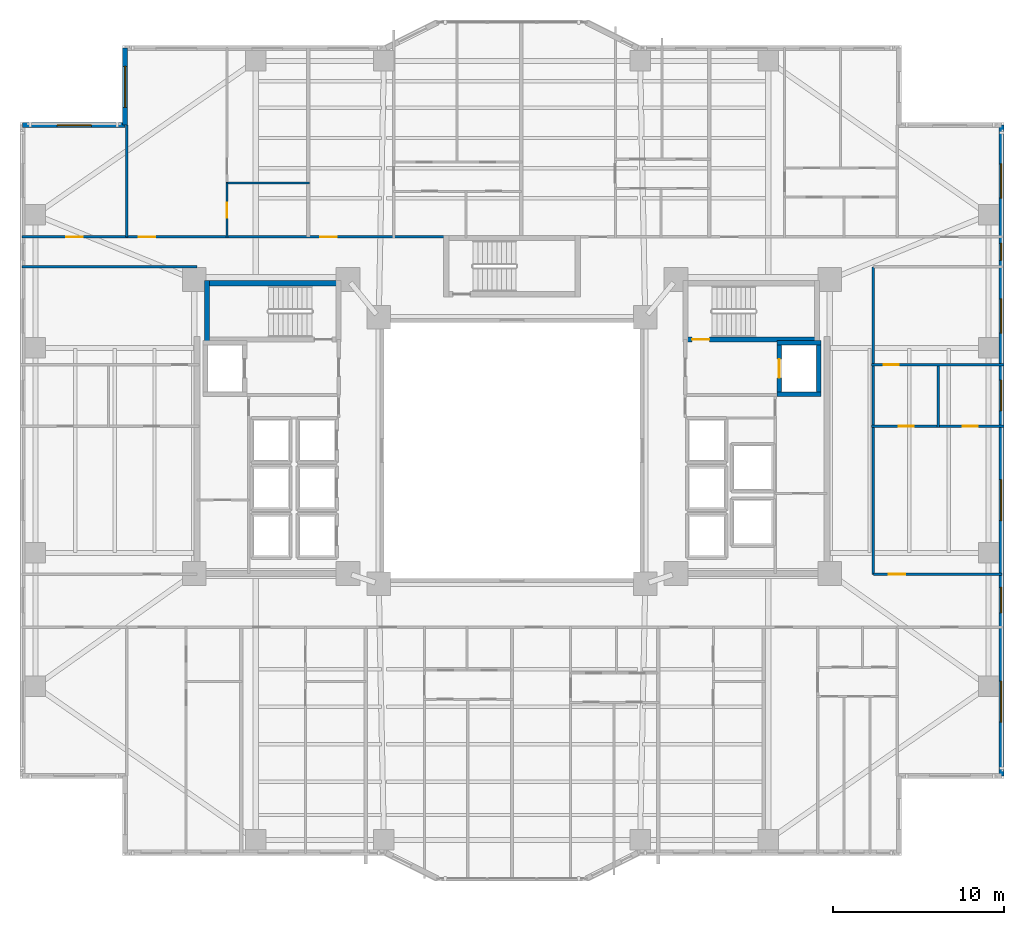
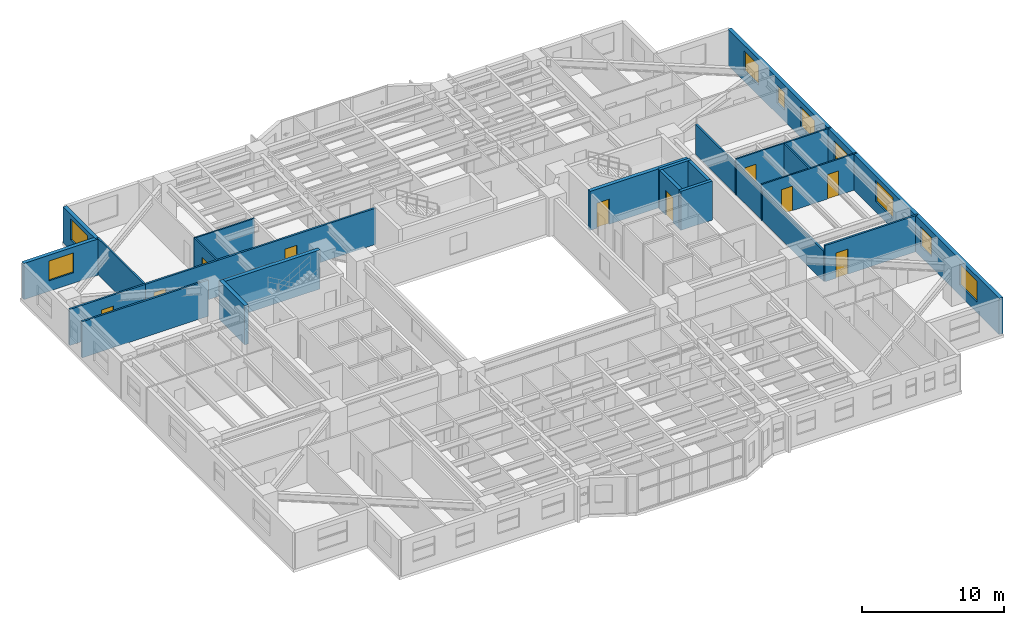
# One storey, part 14 of 22: 21 walls, 10 doors, 9 windows, 19 openings.
"""IFC4 building model written with IfcOpenShell, lengths in metres."""

from ifc_helpers import new_model, si_unit, direction, frame, frame_2d, origin, place, context, subcontext, project, spatial, rectangle, extrude, material, layer, layer_set, type_object, element, fill, save


model = new_model("IFC4")

# Units and contexts
model_context = context("Model", 3, precision=1e-05, world=origin(), true_north=direction((0.0, 1.0)))
body_context = subcontext(model_context, "Body", "Model", "MODEL_VIEW")
ifc_project = project(units=[si_unit("LENGTHUNIT", "METRE"), si_unit("AREAUNIT", "SQUARE_METRE"), si_unit("VOLUMEUNIT", "CUBIC_METRE"), si_unit("PLANEANGLEUNIT", "RADIAN"), si_unit("MASSUNIT", "GRAM", prefix="KILO")], contexts=[model_context])

# Site, building, storey
site_placement = place(None, origin())
site = spatial("IfcSite", under=ifc_project, at=site_placement, CompositionType="ELEMENT")
building_placement = place(site_placement, origin())
building = spatial("IfcBuilding", under=site, at=building_placement, Name="Tarnavaz Court Tower", CompositionType="ELEMENT")
storey_placement = place(building_placement, frame((0.0, 0.0, 57.5)))
storey = spatial("IfcBuildingStorey", under=building, at=storey_placement, Name="L15", CompositionType="ELEMENT", Elevation=57.5)

# Wall, opening, door
ifc_material_1 = material(Name="Concrete C60/75", Category="concrete")
ifc_layer_1 = layer(ifc_material_1, 0.25)
ifc_layer_set_1 = layer_set([ifc_layer_1], Name="Concrete C60/75")
wall_type_1 = type_object("IfcWallType", Name="WL-CORE-250-C60", PredefinedType="SHEAR", material=ifc_layer_set_1)
wall_1_placement = place(storey_placement, frame((15.64990234375, 3.175048828125, 0.0), z_axis=(0.0, 0.0, 1.0), x_axis=(0.0, 1.0, 0.0)))
wall_1 = element("IfcWall", 1, at=wall_1_placement, inside=storey, type_object=wall_type_1, Name="L15 Lift FL-E1 Shaft Wall 045", PredefinedType="SHEAR", context=body_context, shape_type="SweptSolid", body=[
    extrude(rectangle(XDim=3.25, YDim=0.25, at=frame_2d((1.625, 0.0))), origin(), (0.0, 0.0, 1.0), 3.35009765625),
])
opening_1_placement = place(wall_1_placement, frame((1.074951171875, 0.0, 0.0)))
opening_1 = element("IfcOpeningElement", 2, at=opening_1_placement, cuts=wall_1, Name="Opening LD1", PredefinedType="OPENING", context=body_context, shape_type="SweptSolid", body=[
    extrude(rectangle(XDim=1.10009765625, YDim=2.14990234375, at=frame_2d((0.550048828125, 1.074951171875))), frame((0.0, 0.135009765625, 0.0), z_axis=(0.0, -1.0, 0.0), x_axis=(1.0, 0.0, 0.0)), (0.0, 0.0, 1.0), 0.27001953125),
])
ifc_material_2 = material(Name="Stainless Steel", Category="steel")
door_type_1 = type_object("IfcDoorType", Name="DR-LD-1100", OperationType="NOTDEFINED", PredefinedType="DOOR", material=ifc_material_2)
door_1_placement = place(opening_1_placement, origin())
door_1 = element("IfcDoor", 3, at=door_1_placement, inside=storey, type_object=door_type_1, Name="L15 Lift Landing Door LD-FL-E1", OperationType="SLIDING_TO_LEFT", OverallHeight=2.14990234375, OverallWidth=1.10009765625, PredefinedType="DOOR", context=body_context, shape_type="SweptSolid", body=[
    extrude(rectangle(XDim=1.10009765625, YDim=2.14990234375, at=frame_2d((0.550048828125, 1.074951171875))), frame((0.0, 0.02490234375, 0.0), z_axis=(0.0, -1.0, 0.0), x_axis=(1.0, 0.0, 0.0)), (0.0, 0.0, 1.0), 0.050048828125),
])
fill(opening_1, door_1)

# Walls
wall_2_placement = place(storey_placement, frame((17.949951171875, 3.175048828125, 0.0), z_axis=(0.0, 0.0, 1.0), x_axis=(0.0, 1.0, 0.0)))
element("IfcWall", 4, at=wall_2_placement, inside=storey, type_object=wall_type_1, Name="L15 Lift FL-E1 Shaft Wall 046", PredefinedType="SHEAR", context=body_context, shape_type="SweptSolid", body=[
    extrude(rectangle(XDim=3.25, YDim=0.25, at=frame_2d((1.625, 0.0))), origin(), (0.0, 0.0, 1.0), 3.35009765625),
])
for number, where, z_axis, x_axis, name in (
    (5, (15.52490234375, 3.300048828125, 0.0), (0.0, 0.0, 1.0), (1.0, 0.0, 0.0), "L15 Lift FL-E1 Shaft Wall 047"),
    (6, (15.52490234375, 6.300048828125, 0.0), (0.0, 0.0, 1.0), (1.0, 0.0, 0.0), "L15 Lift FL-E1 Shaft Wall 048"),
):
    element("IfcWall", number, at=place(storey_placement, frame(where, z_axis=z_axis, x_axis=x_axis)), inside=storey, type_object=wall_type_1, Name=name, PredefinedType="SHEAR", context=body_context, shape_type="SweptSolid", body=[
        extrude(rectangle(XDim=2.550048828125, YDim=0.25, at=frame_2d((1.27490234375, 0.0))), origin(), (0.0, 0.0, 1.0), 3.35009765625),
    ])
ifc_layer_2 = layer(ifc_material_1, 0.300048828125)
ifc_layer_set_2 = layer_set([ifc_layer_2], Name="Concrete C60/75")
wall_type_2 = type_object("IfcWallType", Name="WL-CORE-300-C60", PredefinedType="SHEAR", material=ifc_layer_set_2)
wall_3_placement = place(storey_placement, frame((-18.0, 9.7900390625, 0.0), z_axis=(0.0, 0.0, 1.0), x_axis=(1.0, 0.0, 0.0)))
element("IfcWall", 7, at=wall_3_placement, inside=storey, type_object=wall_type_2, Name="L15 West Stair Core Wall 001", PredefinedType="SHEAR", context=body_context, shape_type="SweptSolid", body=[
    extrude(rectangle(XDim=8.0, YDim=0.300048828125, at=frame_2d((4.0, 0.0))), origin(), (0.0, 0.0, 1.0), 3.35009765625),
])
wall_4_placement = place(storey_placement, frame((-17.85009765625, 6.35009765625, 0.0), z_axis=(0.0, 0.0, 1.0), x_axis=(0.0, 1.0, 0.0)))
element("IfcWall", 8, at=wall_4_placement, inside=storey, type_object=wall_type_2, Name="L15 West Stair Core Wall 003", PredefinedType="SHEAR", context=body_context, shape_type="SweptSolid", body=[
    extrude(rectangle(XDim=3.58984375, YDim=0.300048828125, at=frame_2d((1.794921875, 0.0))), origin(), (0.0, 0.0, 1.0), 3.35009765625),
])

# Wall, opening, door
wall_5_placement = place(storey_placement, frame((10.0, 6.5, 0.0), z_axis=(0.0, 0.0, 1.0), x_axis=(1.0, 0.0, 0.0)))
wall_5 = element("IfcWall", 9, at=wall_5_placement, inside=storey, type_object=wall_type_2, Name="L15 East Stair Core Wall 006", PredefinedType="SHEAR", context=body_context, shape_type="SweptSolid", body=[
    extrude(rectangle(XDim=8.0, YDim=0.300048828125, at=frame_2d((4.0, 0.0))), origin(), (0.0, 0.0, 1.0), 3.35009765625),
])
opening_2_placement = place(wall_5_placement, frame((0.550048828125, 0.0, 0.0)))
opening_2 = element("IfcOpeningElement", 10, at=opening_2_placement, cuts=wall_5, Name="Opening D01", PredefinedType="OPENING", context=body_context, shape_type="SweptSolid", body=[
    extrude(rectangle(XDim=1.0, YDim=2.14990234375, at=frame_2d((0.5, 1.074951171875))), frame((0.0, 0.159912109375, 0.0), z_axis=(0.0, -1.0, 0.0), x_axis=(1.0, 0.0, 0.0)), (0.0, 0.0, 1.0), 0.320068359375),
])
ifc_material_3 = material(Name="Fire-Rated Hardwood Timber Core", Category="wood")
door_type_2 = type_object("IfcDoorType", Name="DR-FD90-1000", OperationType="NOTDEFINED", PredefinedType="DOOR", material=ifc_material_3)
door_2_placement = place(opening_2_placement, origin())
door_2 = element("IfcDoor", 11, at=door_2_placement, inside=storey, type_object=door_type_2, Name="L15 Stair ST-E1 Exit Door", OperationType="SINGLE_SWING_RIGHT", OverallHeight=2.14990234375, OverallWidth=1.0, PredefinedType="DOOR", context=body_context, shape_type="SweptSolid", body=[
    extrude(rectangle(XDim=1.0, YDim=2.14990234375, at=frame_2d((0.5, 1.074951171875))), frame((0.0, 0.02490234375, 0.0), z_axis=(0.0, -1.0, 0.0), x_axis=(1.0, 0.0, 0.0)), (0.0, 0.0, 1.0), 0.050048828125),
])
fill(opening_2, door_2)

# Wall, opening, window
ifc_material_4 = material(Name="Precast Concrete C40/50", Category="concrete")
ifc_layer_3 = layer(ifc_material_4, 0.300048828125)
ifc_layer_set_3 = layer_set([ifc_layer_3], Name="Precast Concrete C40/50")
wall_type_3 = type_object("IfcWallType", Name="WL-EXT-300", PredefinedType="SOLIDWALL", material=ifc_layer_set_3)
wall_6_placement = place(storey_placement, frame((-28.64990234375, 19.050048828125, 0.0), z_axis=(0.0, 0.0, 1.0), x_axis=(1.0, 0.0, 0.0)))
wall_6 = element("IfcWall", 12, at=wall_6_placement, inside=storey, type_object=wall_type_3, Name="L15 Exterior Terracotta Facade Wall 03", PredefinedType="SOLIDWALL", context=body_context, shape_type="SweptSolid", body=[
    extrude(rectangle(XDim=6.0, YDim=0.300048828125, at=frame_2d((3.0, 0.0))), origin(), (0.0, 0.0, 1.0), 3.10009765625),
])
opening_3_placement = place(wall_6_placement, frame((2.02490234375, 0.0, 0.89990234375)))
opening_3 = element("IfcOpeningElement", 13, at=opening_3_placement, cuts=wall_6, Name="Opening W08", PredefinedType="OPENING", context=body_context, shape_type="SweptSolid", body=[
    extrude(rectangle(XDim=2.0, YDim=1.699951171875, at=frame_2d((1.0, 0.85009765625))), frame((0.0, 0.159912109375, 0.0), z_axis=(0.0, -1.0, 0.0), x_axis=(1.0, 0.0, 0.0)), (0.0, 0.0, 1.0), 0.320068359375),
])
ifc_material_5 = material(Name="Double-Glazed Solar Low-E Glass", Category="glass")
window_type_1 = type_object("IfcWindowType", Name="WN-APT-2000", PartitioningType="DOUBLE_PANEL_VERTICAL", PredefinedType="WINDOW", material=ifc_material_5)
window_1_placement = place(opening_3_placement, origin())
window_1 = element("IfcWindow", 14, at=window_1_placement, inside=storey, type_object=window_type_1, Name="L15 North-West Corner Sunroom Study Window", OverallHeight=1.699951171875, OverallWidth=2.0, PartitioningType="SINGLE_PANEL", PredefinedType="WINDOW", context=body_context, shape_type="SweptSolid", body=[
    extrude(rectangle(XDim=2.0, YDim=1.699951171875, at=frame_2d((1.0, 0.85009765625))), frame((0.0, 0.030029296875, 0.0), z_axis=(0.0, -1.0, 0.0), x_axis=(1.0, 0.0, 0.0)), (0.0, 0.0, 1.0), 0.06005859375),
])
fill(opening_3, window_1)

wall_7_placement = place(storey_placement, frame((-22.64990234375, 19.050048828125, 0.0), z_axis=(0.0, 0.0, 1.0), x_axis=(0.0, 1.0, 0.0)))
wall_7 = element("IfcWall", 15, at=wall_7_placement, inside=storey, type_object=wall_type_3, Name="L15 Exterior Terracotta Facade Wall 04", PredefinedType="SOLIDWALL", context=body_context, shape_type="SweptSolid", body=[
    extrude(rectangle(XDim=4.5, YDim=0.300048828125, at=frame_2d((2.25, 0.0))), origin(), (0.0, 0.0, 1.0), 3.10009765625),
])
opening_4_placement = place(wall_7_placement, frame((1.032470703125, 0.0, 0.89990234375)))
opening_4 = element("IfcOpeningElement", 16, at=opening_4_placement, cuts=wall_7, Name="Opening W06", PredefinedType="OPENING", context=body_context, shape_type="SweptSolid", body=[
    extrude(rectangle(XDim=2.39990234375, YDim=1.800048828125, at=frame_2d((1.199951171875, 0.89990234375))), frame((0.0, 0.159912109375, 0.0), z_axis=(0.0, -1.0, 0.0), x_axis=(1.0, 0.0, 0.0)), (0.0, 0.0, 1.0), 0.320068359375),
])
window_type_2 = type_object("IfcWindowType", Name="WN-APT-2400", PartitioningType="TRIPLE_PANEL_VERTICAL", PredefinedType="WINDOW", material=ifc_material_5)
window_2_placement = place(opening_4_placement, origin())
window_2 = element("IfcWindow", 17, at=window_2_placement, inside=storey, type_object=window_type_2, Name="L15 Flat 01 Studio Living and Sleeping Room Window", OverallHeight=1.800048828125, OverallWidth=2.39990234375, PartitioningType="SINGLE_PANEL", PredefinedType="WINDOW", context=body_context, shape_type="SweptSolid", body=[
    extrude(rectangle(XDim=2.39990234375, YDim=1.800048828125, at=frame_2d((1.199951171875, 0.89990234375))), frame((0.0, 0.030029296875, 0.0), z_axis=(0.0, -1.0, 0.0), x_axis=(1.0, 0.0, 0.0)), (0.0, 0.0, 1.0), 0.06005859375),
])
fill(opening_4, window_2)

# Wall, openings, windows
wall_8_placement = place(storey_placement, frame((28.64990234375, 19.050048828125, 0.0), z_axis=(0.0, 0.0, 1.0), x_axis=(0.0, -1.0, 0.0)))
wall_8 = element("IfcWall", 18, at=wall_8_placement, inside=storey, type_object=wall_type_3, Name="L15 Exterior Terracotta Facade Wall 12", PredefinedType="SOLIDWALL", context=body_context, shape_type="SweptSolid", body=[
    extrude(rectangle(XDim=38.10009765625, YDim=0.300048828125, at=frame_2d((19.050048828125, 0.0))), origin(), (0.0, 0.0, 1.0), 3.10009765625),
])
opening_5_placement = place(wall_8_placement, frame((2.27490234375, 0.0, 0.89990234375)))
opening_5 = element("IfcOpeningElement", 19, at=opening_5_placement, cuts=wall_8, Name="Opening W08", PredefinedType="OPENING", context=body_context, shape_type="SweptSolid", body=[
    extrude(rectangle(XDim=2.0, YDim=1.699951171875, at=frame_2d((1.0, 0.85009765625))), frame((0.0, 0.159912109375, 0.0), z_axis=(0.0, -1.0, 0.0), x_axis=(1.0, 0.0, 0.0)), (0.0, 0.0, 1.0), 0.320068359375),
])
opening_6_placement = place(wall_8_placement, frame((6.925048828125, 0.0, 0.949951171875)))
opening_6 = element("IfcOpeningElement", 20, at=opening_6_placement, cuts=wall_8, Name="Opening W14", PredefinedType="OPENING", context=body_context, shape_type="SweptSolid", body=[
    extrude(rectangle(XDim=1.0, YDim=1.5, at=frame_2d((0.5, 0.75))), frame((0.0, 0.159912109375, 0.0), z_axis=(0.0, -1.0, 0.0), x_axis=(1.0, 0.0, 0.0)), (0.0, 0.0, 1.0), 0.320068359375),
])
opening_7_placement = place(wall_8_placement, frame((10.175048828125, 0.0, 0.89990234375)))
opening_7 = element("IfcOpeningElement", 21, at=opening_7_placement, cuts=wall_8, Name="Opening W08", PredefinedType="OPENING", context=body_context, shape_type="SweptSolid", body=[
    extrude(rectangle(XDim=2.0, YDim=1.699951171875, at=frame_2d((1.0, 0.85009765625))), frame((0.0, 0.159912109375, 0.0), z_axis=(0.0, -1.0, 0.0), x_axis=(1.0, 0.0, 0.0)), (0.0, 0.0, 1.0), 0.320068359375),
])
opening_8_placement = place(wall_8_placement, frame((14.925048828125, 0.0, 0.89990234375)))
opening_8 = element("IfcOpeningElement", 22, at=opening_8_placement, cuts=wall_8, Name="Opening W01", PredefinedType="OPENING", context=body_context, shape_type="SweptSolid", body=[
    extrude(rectangle(XDim=1.800048828125, YDim=1.64990234375, at=frame_2d((0.89990234375, 0.824951171875))), frame((0.0, 0.159912109375, 0.0), z_axis=(0.0, -1.0, 0.0), x_axis=(1.0, 0.0, 0.0)), (0.0, 0.0, 1.0), 0.320068359375),
])
opening_9_placement = place(wall_8_placement, frame((20.75, 0.0, 0.89990234375)))
opening_9 = element("IfcOpeningElement", 23, at=opening_9_placement, cuts=wall_8, Name="Opening W06", PredefinedType="OPENING", context=body_context, shape_type="SweptSolid", body=[
    extrude(rectangle(XDim=2.39990234375, YDim=1.800048828125, at=frame_2d((1.199951171875, 0.89990234375))), frame((0.0, 0.159912109375, 0.0), z_axis=(0.0, -1.0, 0.0), x_axis=(1.0, 0.0, 0.0)), (0.0, 0.0, 1.0), 0.320068359375),
])
opening_10_placement = place(wall_8_placement, frame((27.0576171875, 0.0, 0.89990234375)))
opening_10 = element("IfcOpeningElement", 24, at=opening_10_placement, cuts=wall_8, Name="Opening W03", PredefinedType="OPENING", context=body_context, shape_type="SweptSolid", body=[
    extrude(rectangle(XDim=1.5, YDim=1.64990234375, at=frame_2d((0.75, 0.824951171875))), frame((0.0, 0.159912109375, 0.0), z_axis=(0.0, -1.0, 0.0), x_axis=(1.0, 0.0, 0.0)), (0.0, 0.0, 1.0), 0.320068359375),
])
opening_11_placement = place(wall_8_placement, frame((32.550048828125, 0.0, 0.89990234375)))
opening_11 = element("IfcOpeningElement", 25, at=opening_11_placement, cuts=wall_8, Name="Opening W06", PredefinedType="OPENING", context=body_context, shape_type="SweptSolid", body=[
    extrude(rectangle(XDim=2.39990234375, YDim=1.800048828125, at=frame_2d((1.199951171875, 0.89990234375))), frame((0.0, 0.159912109375, 0.0), z_axis=(0.0, -1.0, 0.0), x_axis=(1.0, 0.0, 0.0)), (0.0, 0.0, 1.0), 0.320068359375),
])
window_type_3 = type_object("IfcWindowType", Name="WN-APT-1000", PartitioningType="SINGLE_PANEL", PredefinedType="WINDOW", material=ifc_material_5)
window_3_placement = place(opening_6_placement, origin())
window_3 = element("IfcWindow", 26, at=window_3_placement, inside=storey, type_object=window_type_3, Name="L15 North-East Corner Corridor Window", OverallHeight=1.5, OverallWidth=1.0, PartitioningType="SINGLE_PANEL", PredefinedType="WINDOW", context=body_context, shape_type="SweptSolid", body=[
    extrude(rectangle(XDim=1.0, YDim=1.5, at=frame_2d((0.5, 0.75))), frame((0.0, 0.030029296875, 0.0), z_axis=(0.0, -1.0, 0.0), x_axis=(1.0, 0.0, 0.0)), (0.0, 0.0, 1.0), 0.06005859375),
])
fill(opening_6, window_3)
window_type_4 = type_object("IfcWindowType", Name="WN-APT-1500", PartitioningType="DOUBLE_PANEL_VERTICAL", PredefinedType="WINDOW", material=ifc_material_5)
window_4_placement = place(opening_10_placement, origin())
window_4 = element("IfcWindow", 27, at=window_4_placement, inside=storey, type_object=window_type_4, Name="L15 South-East Corner Corridor Window", OverallHeight=1.64990234375, OverallWidth=1.5, PartitioningType="SINGLE_PANEL", PredefinedType="WINDOW", context=body_context, shape_type="SweptSolid", body=[
    extrude(rectangle(XDim=1.5, YDim=1.64990234375, at=frame_2d((0.75, 0.824951171875))), frame((0.0, 0.030029296875, 0.0), z_axis=(0.0, -1.0, 0.0), x_axis=(1.0, 0.0, 0.0)), (0.0, 0.0, 1.0), 0.06005859375),
])
fill(opening_10, window_4)
window_type_5 = type_object("IfcWindowType", Name="WN-APT-1800", PartitioningType="DOUBLE_PANEL_VERTICAL", PredefinedType="WINDOW", material=ifc_material_5)
window_5_placement = place(opening_8_placement, origin())
window_5 = element("IfcWindow", 28, at=window_5_placement, inside=storey, type_object=window_type_5, Name="L15 Flat 12 Bathroom Window", OverallHeight=1.64990234375, OverallWidth=1.800048828125, PartitioningType="SINGLE_PANEL", PredefinedType="WINDOW", context=body_context, shape_type="SweptSolid", body=[
    extrude(rectangle(XDim=1.800048828125, YDim=1.64990234375, at=frame_2d((0.89990234375, 0.824951171875))), frame((0.0, 0.030029296875, 0.0), z_axis=(0.0, -1.0, 0.0), x_axis=(1.0, 0.0, 0.0)), (0.0, 0.0, 1.0), 0.06005859375),
])
fill(opening_8, window_5)
window_6_placement = place(opening_5_placement, origin())
window_6 = element("IfcWindow", 29, at=window_6_placement, inside=storey, type_object=window_type_1, Name="L15 North-East Corner Sunroom Study Window", OverallHeight=1.699951171875, OverallWidth=2.0, PartitioningType="SINGLE_PANEL", PredefinedType="WINDOW", context=body_context, shape_type="SweptSolid", body=[
    extrude(rectangle(XDim=2.0, YDim=1.699951171875, at=frame_2d((1.0, 0.85009765625))), frame((0.0, 0.030029296875, 0.0), z_axis=(0.0, -1.0, 0.0), x_axis=(1.0, 0.0, 0.0)), (0.0, 0.0, 1.0), 0.06005859375),
])
fill(opening_5, window_6)
window_7_placement = place(opening_7_placement, origin())
window_7 = element("IfcWindow", 30, at=window_7_placement, inside=storey, type_object=window_type_1, Name="L15 Flat 12 Study Room Window", OverallHeight=1.699951171875, OverallWidth=2.0, PartitioningType="SINGLE_PANEL", PredefinedType="WINDOW", context=body_context, shape_type="SweptSolid", body=[
    extrude(rectangle(XDim=2.0, YDim=1.699951171875, at=frame_2d((1.0, 0.85009765625))), frame((0.0, 0.030029296875, 0.0), z_axis=(0.0, -1.0, 0.0), x_axis=(1.0, 0.0, 0.0)), (0.0, 0.0, 1.0), 0.06005859375),
])
fill(opening_7, window_7)
window_8_placement = place(opening_9_placement, origin())
window_8 = element("IfcWindow", 31, at=window_8_placement, inside=storey, type_object=window_type_2, Name="L15 Flat 12 Studio Living and Sleeping Room Window", OverallHeight=1.800048828125, OverallWidth=2.39990234375, PartitioningType="SINGLE_PANEL", PredefinedType="WINDOW", context=body_context, shape_type="SweptSolid", body=[
    extrude(rectangle(XDim=2.39990234375, YDim=1.800048828125, at=frame_2d((1.199951171875, 0.89990234375))), frame((0.0, 0.030029296875, 0.0), z_axis=(0.0, -1.0, 0.0), x_axis=(1.0, 0.0, 0.0)), (0.0, 0.0, 1.0), 0.06005859375),
])
fill(opening_9, window_8)
window_9_placement = place(opening_11_placement, origin())
window_9 = element("IfcWindow", 32, at=window_9_placement, inside=storey, type_object=window_type_2, Name="L15 South-East Corner Reading Room Window", OverallHeight=1.800048828125, OverallWidth=2.39990234375, PartitioningType="SINGLE_PANEL", PredefinedType="WINDOW", context=body_context, shape_type="SweptSolid", body=[
    extrude(rectangle(XDim=2.39990234375, YDim=1.800048828125, at=frame_2d((1.199951171875, 0.89990234375))), frame((0.0, 0.030029296875, 0.0), z_axis=(0.0, -1.0, 0.0), x_axis=(1.0, 0.0, 0.0)), (0.0, 0.0, 1.0), 0.06005859375),
])
fill(opening_11, window_9)

# Wall, openings, doors
ifc_material_6 = material(Name="Gypsum Fire-Board on Acoustic Metal Stud", Category="masonry")
ifc_layer_4 = layer(ifc_material_6, 0.14990234375)
ifc_layer_set_4 = layer_set([ifc_layer_4], Name="Gypsum Fire-Board on Acoustic Metal Stud")
wall_type_4 = type_object("IfcWallType", Name="WL-FIRE-150", PredefinedType="PARTITIONING", material=ifc_layer_set_4)
wall_9_placement = place(storey_placement, frame((-22.550048828125, 12.5, 0.0), z_axis=(0.0, 0.0, 1.0), x_axis=(1.0, 0.0, 0.0)))
wall_9 = element("IfcWall", 33, at=wall_9_placement, inside=storey, type_object=wall_type_4, Name="L15 NW Wing Corridor Wall 081", PredefinedType="PARTITIONING", context=body_context, shape_type="SweptSolid", body=[
    extrude(rectangle(XDim=18.699951171875, YDim=0.14990234375, at=frame_2d((9.35009765625, 0.0))), origin(), (0.0, 0.0, 1.0), 3.10009765625),
])
opening_12_placement = place(wall_9_placement, frame((0.699951171875, 0.0, 0.0)))
opening_12 = element("IfcOpeningElement", 34, at=opening_12_placement, cuts=wall_9, Name="Opening D06", PredefinedType="OPENING", context=body_context, shape_type="SweptSolid", body=[
    extrude(rectangle(XDim=0.9599609375, YDim=2.14990234375, at=frame_2d((0.47998046875, 1.074951171875))), frame((0.0, 0.0849609375, 0.0), z_axis=(0.0, -1.0, 0.0), x_axis=(1.0, 0.0, 0.0)), (0.0, 0.0, 1.0), 0.169921875),
])
opening_13_placement = place(wall_9_placement, frame((11.325927734375, 0.0, 0.0)))
opening_13 = element("IfcOpeningElement", 35, at=opening_13_placement, cuts=wall_9, Name="Opening D06", PredefinedType="OPENING", context=body_context, shape_type="SweptSolid", body=[
    extrude(rectangle(XDim=0.9599609375, YDim=2.14990234375, at=frame_2d((0.47998046875, 1.074951171875))), frame((0.0, 0.0849609375, 0.0), z_axis=(0.0, -1.0, 0.0), x_axis=(1.0, 0.0, 0.0)), (0.0, 0.0, 1.0), 0.169921875),
])
door_type_3 = type_object("IfcDoorType", Name="DR-FD60-950", OperationType="NOTDEFINED", PredefinedType="DOOR", material=ifc_material_3)
door_3_placement = place(opening_12_placement, origin())
door_3 = element("IfcDoor", 36, at=door_3_placement, inside=storey, type_object=door_type_3, Name="L15 Flat 01 Entrance Door", OperationType="SINGLE_SWING_LEFT", OverallHeight=2.14990234375, OverallWidth=0.9599609375, PredefinedType="DOOR", context=body_context, shape_type="SweptSolid", body=[
    extrude(rectangle(XDim=0.9599609375, YDim=2.14990234375, at=frame_2d((0.47998046875, 1.074951171875))), frame((0.0, 0.02490234375, 0.0), z_axis=(0.0, -1.0, 0.0), x_axis=(1.0, 0.0, 0.0)), (0.0, 0.0, 1.0), 0.050048828125),
])
fill(opening_12, door_3)
door_4_placement = place(opening_13_placement, origin())
door_4 = element("IfcDoor", 37, at=door_4_placement, inside=storey, type_object=door_type_3, Name="L15 Flat 02 Entrance Door", OperationType="SINGLE_SWING_RIGHT", OverallHeight=2.14990234375, OverallWidth=0.9599609375, PredefinedType="DOOR", context=body_context, shape_type="SweptSolid", body=[
    extrude(rectangle(XDim=0.9599609375, YDim=2.14990234375, at=frame_2d((0.47998046875, 1.074951171875))), frame((0.0, 0.02490234375, 0.0), z_axis=(0.0, -1.0, 0.0), x_axis=(1.0, 0.0, 0.0)), (0.0, 0.0, 1.0), 0.050048828125),
])
fill(opening_13, door_4)

# Walls
wall_10_placement = place(storey_placement, frame((21.14990234375, -7.25, 0.0), z_axis=(0.0, 0.0, 1.0), x_axis=(0.0, 1.0, 0.0)))
element("IfcWall", 38, at=wall_10_placement, inside=storey, type_object=wall_type_4, Name="L15 East Outer Link Wall 083", PredefinedType="PARTITIONING", context=body_context, shape_type="SweptSolid", body=[
    extrude(rectangle(XDim=18.0, YDim=0.14990234375, at=frame_2d((9.0, 0.0))), origin(), (0.0, 0.0, 1.0), 2.5849609375),
])
wall_11_placement = place(storey_placement, frame((-28.679931640625, 10.75, 0.0), z_axis=(0.0, 0.0, 1.0), x_axis=(1.0, 0.0, 0.0)))
element("IfcWall", 39, at=wall_11_placement, inside=storey, type_object=wall_type_4, Name="L15 Interior Partition 145", PredefinedType="PARTITIONING", context=body_context, shape_type="SweptSolid", body=[
    extrude(rectangle(XDim=10.22998046875, YDim=0.14990234375, at=frame_2d((5.114990234375, 0.0))), origin(), (0.0, 0.0, 1.0), 3.10009765625),
])

# Wall, opening, door
wall_12_placement = place(storey_placement, frame((21.14990234375, -7.25, 0.0), z_axis=(0.0, 0.0, 1.0), x_axis=(1.0, 0.0, 0.0)))
wall_12 = element("IfcWall", 40, at=wall_12_placement, inside=storey, type_object=wall_type_4, Name="L15 Interior Partition 146", PredefinedType="PARTITIONING", context=body_context, shape_type="SweptSolid", body=[
    extrude(rectangle(XDim=7.530029296875, YDim=0.14990234375, at=frame_2d((3.76513671875, 0.0))), origin(), (0.0, 0.0, 1.0), 3.10009765625),
])
opening_14_placement = place(wall_12_placement, frame((0.89990234375, 0.0, 0.0)))
opening_14 = element("IfcOpeningElement", 41, at=opening_14_placement, cuts=wall_12, Name="Opening D06", PredefinedType="OPENING", context=body_context, shape_type="SweptSolid", body=[
    extrude(rectangle(XDim=0.9599609375, YDim=2.14990234375, at=frame_2d((0.47998046875, 1.074951171875))), frame((0.0, 0.0849609375, 0.0), z_axis=(0.0, -1.0, 0.0), x_axis=(1.0, 0.0, 0.0)), (0.0, 0.0, 1.0), 0.169921875),
])
door_5_placement = place(opening_14_placement, origin())
door_5 = element("IfcDoor", 42, at=door_5_placement, inside=storey, type_object=door_type_3, Name="L15 Flat 12 Entrance Door", OperationType="SINGLE_SWING_RIGHT", OverallHeight=2.14990234375, OverallWidth=0.9599609375, PredefinedType="DOOR", context=body_context, shape_type="SweptSolid", body=[
    extrude(rectangle(XDim=0.9599609375, YDim=2.14990234375, at=frame_2d((0.47998046875, 1.074951171875))), frame((0.0, 0.02490234375, 0.0), z_axis=(0.0, -1.0, 0.0), x_axis=(1.0, 0.0, 0.0)), (0.0, 0.0, 1.0), 0.050048828125),
])
fill(opening_14, door_5)

wall_13_placement = place(storey_placement, frame((-28.679931640625, 12.5, 0.0), z_axis=(0.0, 0.0, 1.0), x_axis=(1.0, 0.0, 0.0)))
wall_13 = element("IfcWall", 43, at=wall_13_placement, inside=storey, type_object=wall_type_4, Name="L15 Interior Partition 152", PredefinedType="PARTITIONING", context=body_context, shape_type="SweptSolid", body=[
    extrude(rectangle(XDim=6.1298828125, YDim=0.14990234375, at=frame_2d((3.06494140625, 0.0))), origin(), (0.0, 0.0, 1.0), 3.10009765625),
])
opening_15_placement = place(wall_13_placement, frame((2.590087890625, 0.0, 0.0)))
opening_15 = element("IfcOpeningElement", 44, at=opening_15_placement, cuts=wall_13, Name="Opening D13", PredefinedType="OPENING", context=body_context, shape_type="SweptSolid", body=[
    extrude(rectangle(XDim=0.949951171875, YDim=2.14990234375, at=frame_2d((0.47509765625, 1.074951171875))), frame((0.0, 0.0849609375, 0.0), z_axis=(0.0, -1.0, 0.0), x_axis=(1.0, 0.0, 0.0)), (0.0, 0.0, 1.0), 0.169921875),
])
ifc_material_7 = material(Name="Engineered Oak Timber", Category="wood")
door_type_4 = type_object("IfcDoorType", Name="DR-INT-950", OperationType="NOTDEFINED", PredefinedType="DOOR", material=ifc_material_7)
door_6_placement = place(opening_15_placement, origin())
door_6 = element("IfcDoor", 45, at=door_6_placement, inside=storey, type_object=door_type_4, Name="L15 NW Sunroom Door", OperationType="SINGLE_SWING_RIGHT", OverallHeight=2.14990234375, OverallWidth=0.949951171875, PredefinedType="DOOR", context=body_context, shape_type="SweptSolid", body=[
    extrude(rectangle(XDim=0.949951171875, YDim=2.14990234375, at=frame_2d((0.47509765625, 1.074951171875))), frame((0.0, 0.02490234375, 0.0), z_axis=(0.0, -1.0, 0.0), x_axis=(1.0, 0.0, 0.0)), (0.0, 0.0, 1.0), 0.050048828125),
])
fill(opening_15, door_6)

ifc_material_8 = material(Name="Moisture-Resistant Gypsum Board Partition", Category="masonry")
ifc_layer_5 = layer(ifc_material_8, 0.1201171875)
ifc_layer_set_5 = layer_set([ifc_layer_5], Name="Moisture-Resistant Gypsum Board Partition")
wall_type_5 = type_object("IfcWallType", Name="WL-PART-120", PredefinedType="PARTITIONING", material=ifc_layer_set_5)
wall_14_placement = place(storey_placement, frame((-16.68408203125, 12.43994140625, 0.0), z_axis=(0.0, 0.0, 1.0), x_axis=(0.0, 1.0, 0.0)))
wall_14 = element("IfcWall", 46, at=wall_14_placement, inside=storey, type_object=wall_type_5, Name="L15 Interior Partition 089", PredefinedType="PARTITIONING", context=body_context, shape_type="SweptSolid", body=[
    extrude(rectangle(XDim=3.2099609375, YDim=0.1201171875, at=frame_2d((1.60498046875, 0.0))), origin(), (0.0, 0.0, 1.0), 3.10009765625),
])
opening_16_placement = place(wall_14_placement, frame((1.195068359375, 0.0, 0.0)))
opening_16 = element("IfcOpeningElement", 47, at=opening_16_placement, cuts=wall_14, Name="Opening D14", PredefinedType="OPENING", context=body_context, shape_type="SweptSolid", body=[
    extrude(rectangle(XDim=0.8798828125, YDim=2.10009765625, at=frame_2d((0.43994140625, 1.050048828125))), frame((0.0, 0.070068359375, 0.0), z_axis=(0.0, -1.0, 0.0), x_axis=(1.0, 0.0, 0.0)), (0.0, 0.0, 1.0), 0.14013671875),
])
door_type_5 = type_object("IfcDoorType", Name="DR-INT-900", OperationType="NOTDEFINED", PredefinedType="DOOR", material=ifc_material_7)
door_7_placement = place(opening_16_placement, origin())
door_7 = element("IfcDoor", 48, at=door_7_placement, inside=storey, type_object=door_type_5, Name="L15 Flat 01 Bathroom Door", OperationType="SINGLE_SWING_RIGHT", OverallHeight=2.10009765625, OverallWidth=0.8798828125, PredefinedType="DOOR", context=body_context, shape_type="SweptSolid", body=[
    extrude(rectangle(XDim=0.8798828125, YDim=2.10009765625, at=frame_2d((0.43994140625, 1.050048828125))), frame((0.0, 0.02490234375, 0.0), z_axis=(0.0, -1.0, 0.0), x_axis=(1.0, 0.0, 0.0)), (0.0, 0.0, 1.0), 0.050048828125),
])
fill(opening_16, door_7)

# Wall
wall_15_placement = place(storey_placement, frame((-16.743896484375, 15.64990234375, 0.0), z_axis=(0.0, 0.0, 1.0), x_axis=(1.0, 0.0, 0.0)))
element("IfcWall", 49, at=wall_15_placement, inside=storey, type_object=wall_type_5, Name="L15 Interior Partition 091", PredefinedType="PARTITIONING", context=body_context, shape_type="SweptSolid", body=[
    extrude(rectangle(XDim=4.8798828125, YDim=0.1201171875, at=frame_2d((2.43994140625, 0.0))), origin(), (0.0, 0.0, 1.0), 3.10009765625),
])

# Wall, openings, doors
wall_16_placement = place(storey_placement, frame((21.030029296875, 1.419921875, 0.0), z_axis=(0.0, 0.0, 1.0), x_axis=(1.0, 0.0, 0.0)))
wall_16 = element("IfcWall", 50, at=wall_16_placement, inside=storey, type_object=wall_type_5, Name="L15 Interior Partition 159", PredefinedType="PARTITIONING", context=body_context, shape_type="SweptSolid", body=[
    extrude(rectangle(XDim=7.77001953125, YDim=0.1201171875, at=frame_2d((3.885009765625, 0.0))), origin(), (0.0, 0.0, 1.0), 3.10009765625),
])
opening_17_placement = place(wall_16_placement, frame((1.614990234375, 0.0, 0.0)))
opening_17 = element("IfcOpeningElement", 51, at=opening_17_placement, cuts=wall_16, Name="Opening D14", PredefinedType="OPENING", context=body_context, shape_type="SweptSolid", body=[
    extrude(rectangle(XDim=0.8798828125, YDim=2.10009765625, at=frame_2d((0.43994140625, 1.050048828125))), frame((0.0, 0.070068359375, 0.0), z_axis=(0.0, -1.0, 0.0), x_axis=(1.0, 0.0, 0.0)), (0.0, 0.0, 1.0), 0.14013671875),
])
opening_18_placement = place(wall_16_placement, frame((5.344970703125, 0.0, 0.0)))
opening_18 = element("IfcOpeningElement", 52, at=opening_18_placement, cuts=wall_16, Name="Opening D14", PredefinedType="OPENING", context=body_context, shape_type="SweptSolid", body=[
    extrude(rectangle(XDim=0.8798828125, YDim=2.10009765625, at=frame_2d((0.43994140625, 1.050048828125))), frame((0.0, 0.070068359375, 0.0), z_axis=(0.0, -1.0, 0.0), x_axis=(1.0, 0.0, 0.0)), (0.0, 0.0, 1.0), 0.14013671875),
])
door_8_placement = place(opening_17_placement, origin())
door_8 = element("IfcDoor", 53, at=door_8_placement, inside=storey, type_object=door_type_5, Name="L15 Flat 12 Kitchen Door", OperationType="SINGLE_SWING_LEFT", OverallHeight=2.10009765625, OverallWidth=0.8798828125, PredefinedType="DOOR", context=body_context, shape_type="SweptSolid", body=[
    extrude(rectangle(XDim=0.8798828125, YDim=2.10009765625, at=frame_2d((0.43994140625, 1.050048828125))), frame((0.0, 0.02490234375, 0.0), z_axis=(0.0, -1.0, 0.0), x_axis=(1.0, 0.0, 0.0)), (0.0, 0.0, 1.0), 0.050048828125),
])
fill(opening_17, door_8)
door_9_placement = place(opening_18_placement, origin())
door_9 = element("IfcDoor", 54, at=door_9_placement, inside=storey, type_object=door_type_5, Name="L15 Flat 12 Bathroom Door", OperationType="SINGLE_SWING_RIGHT", OverallHeight=2.10009765625, OverallWidth=0.8798828125, PredefinedType="DOOR", context=body_context, shape_type="SweptSolid", body=[
    extrude(rectangle(XDim=0.8798828125, YDim=2.10009765625, at=frame_2d((0.43994140625, 1.050048828125))), frame((0.0, 0.02490234375, 0.0), z_axis=(0.0, -1.0, 0.0), x_axis=(1.0, 0.0, 0.0)), (0.0, 0.0, 1.0), 0.050048828125),
])
fill(opening_18, door_9)

# Wall, opening, door
wall_17_placement = place(storey_placement, frame((21.030029296875, 5.02001953125, 0.0), z_axis=(0.0, 0.0, 1.0), x_axis=(1.0, 0.0, 0.0)))
wall_17 = element("IfcWall", 55, at=wall_17_placement, inside=storey, type_object=wall_type_5, Name="L15 Interior Partition 160", PredefinedType="PARTITIONING", context=body_context, shape_type="SweptSolid", body=[
    extrude(rectangle(XDim=7.77001953125, YDim=0.1201171875, at=frame_2d((3.885009765625, 0.0))), origin(), (0.0, 0.0, 1.0), 3.10009765625),
])
opening_19_placement = place(wall_17_placement, frame((0.739990234375, 0.0, 0.0)))
opening_19 = element("IfcOpeningElement", 56, at=opening_19_placement, cuts=wall_17, Name="Opening D14", PredefinedType="OPENING", context=body_context, shape_type="SweptSolid", body=[
    extrude(rectangle(XDim=0.8798828125, YDim=2.10009765625, at=frame_2d((0.43994140625, 1.050048828125))), frame((0.0, 0.070068359375, 0.0), z_axis=(0.0, -1.0, 0.0), x_axis=(1.0, 0.0, 0.0)), (0.0, 0.0, 1.0), 0.14013671875),
])
door_10_placement = place(opening_19_placement, origin())
door_10 = element("IfcDoor", 57, at=door_10_placement, inside=storey, type_object=door_type_5, Name="L15 Flat 12 Study Door", OperationType="SINGLE_SWING_LEFT", OverallHeight=2.10009765625, OverallWidth=0.8798828125, PredefinedType="DOOR", context=body_context, shape_type="SweptSolid", body=[
    extrude(rectangle(XDim=0.8798828125, YDim=2.10009765625, at=frame_2d((0.43994140625, 1.050048828125))), frame((0.0, 0.02490234375, 0.0), z_axis=(0.0, -1.0, 0.0), x_axis=(1.0, 0.0, 0.0)), (0.0, 0.0, 1.0), 0.050048828125),
])
fill(opening_19, door_10)

# Walls
wall_18_placement = place(storey_placement, frame((24.949951171875, 1.360107421875, 0.0), z_axis=(0.0, 0.0, 1.0), x_axis=(0.0, 1.0, 0.0)))
element("IfcWall", 58, at=wall_18_placement, inside=storey, type_object=wall_type_5, Name="L15 Interior Partition 161", PredefinedType="PARTITIONING", context=body_context, shape_type="SweptSolid", body=[
    extrude(rectangle(XDim=3.579833984375, YDim=0.1201171875, at=frame_2d((1.7900390625, 0.0))), origin(), (0.0, 0.0, 1.0), 3.10009765625),
])
ifc_material_9 = material(Name="Gypsum Plasterboard Acoustic Partition", Category="masonry")
ifc_layer_6 = layer(ifc_material_9, 0.139892578125)
ifc_layer_set_6 = layer_set([ifc_layer_6], Name="Gypsum Plasterboard Acoustic Partition")
wall_type_6 = type_object("IfcWallType", Name="WL-PART-150", PredefinedType="PARTITIONING", material=ifc_layer_set_6)
wall_19_placement = place(storey_placement, frame((-22.550048828125, 12.5, 0.0), z_axis=(0.0, 0.0, 1.0), x_axis=(0.0, 1.0, 0.0)))
element("IfcWall", 59, at=wall_19_placement, inside=storey, type_object=wall_type_6, Name="L15 Interior Partition 150", PredefinedType="PARTITIONING", context=body_context, shape_type="SweptSolid", body=[
    extrude(rectangle(XDim=6.550048828125, YDim=0.139892578125, at=frame_2d((3.27490234375, 0.0))), origin(), (0.0, 0.0, 1.0), 3.10009765625),
])

save(model, "model.ifc")
